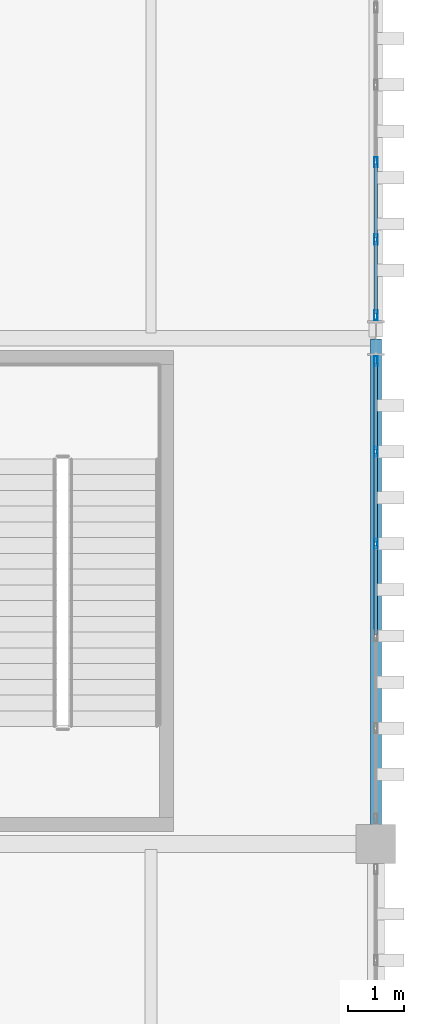
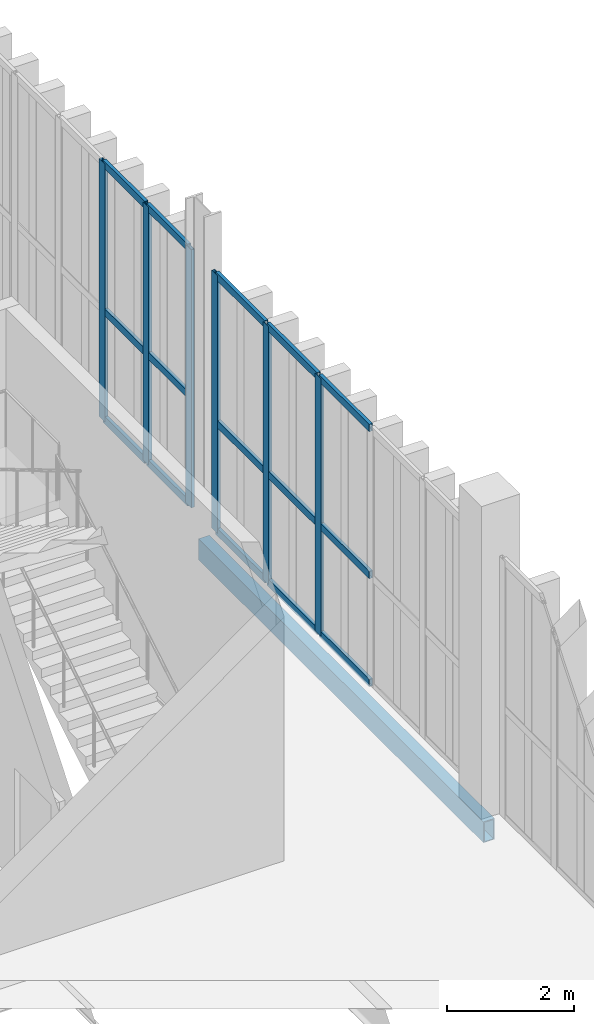
# One storey, part 128 of 211: 21 members, 1 beam, 2 elements without a shape of their own.
"""IFC4 building model written with IfcOpenShell, lengths in metres."""

from ifc_helpers import new_model, si_unit, direction, frame, origin, origin_2d, place, context, subcontext, project, spatial, hollow_rectangle, extrude, material, layer, layer_set, material_profile, profile_set, type_object, element, aggregate, save


model = new_model("IFC4")

# Units and contexts
model_context = context("Model", 3, precision=1e-05, world=origin(), true_north=direction((0.0, 1.0)))
body_context = subcontext(model_context, "Body", "Model", "MODEL_VIEW")
ifc_project = project(units=[si_unit("LENGTHUNIT", "METRE"), si_unit("AREAUNIT", "SQUARE_METRE"), si_unit("VOLUMEUNIT", "CUBIC_METRE"), si_unit("PLANEANGLEUNIT", "RADIAN"), si_unit("MASSUNIT", "GRAM", prefix="KILO")], contexts=[model_context])

# Site, building, storey
site_placement = place(None, origin())
site = spatial("IfcSite", under=ifc_project, at=site_placement, CompositionType="ELEMENT")
building_placement = place(site_placement, origin())
building = spatial("IfcBuilding", under=site, at=building_placement, Name="Barlavento Convention Centre", CompositionType="ELEMENT")
storey_placement = place(building_placement, frame((0.0, 0.0, 6.0)))
storey = spatial("IfcBuildingStorey", under=building, at=storey_placement, Name="L01", CompositionType="ELEMENT", Elevation=6.0)

# Curtain wall, members
ifc_material_1 = material(Name="Powder-coated aluminium and Low-E glass", Category="aluminium")
ifc_layer = layer(ifc_material_1, 0.195068359375)
ifc_layer_set = layer_set([ifc_layer], Name="ARC-CW-FOY-L01")
curtain_wall_type = type_object("IfcCurtainWallType", Name="ARC-CW-FOY-L01", PredefinedType="NOTDEFINED", material=ifc_layer_set)
curtain_wall_1_placement = place(storey_placement, origin())
curtain_wall_1 = element("IfcCurtainWall", 1, at=curtain_wall_1_placement, inside=storey, type_object=curtain_wall_type, Name="L01 unitised curtain wall CW03", PredefinedType="NOTDEFINED")
ifc_material_2 = material(Name="Powder-coated aluminium", Category="aluminium")
ifc_material_profile_1 = material_profile(ifc_material_2, hollow_rectangle(XDim=0.06005859375, YDim=0.179931640625, WallThickness=0.0048828125, at=origin_2d()), Name="AL-MULL 60x180x5")
ifc_profile_set_1 = profile_set([ifc_material_profile_1], Name="Powder-coated aluminium")
member_type_1 = type_object("IfcMemberType", Name="ARC-CWM-60X180", PredefinedType="MULLION", material=ifc_profile_set_1)
member_1_placement = place(storey_placement, frame((192.0, 77.340087890625, 0.0), z_axis=(0.0, 0.0, 1.0), x_axis=(-1.0, 0.0, 0.0)))
member_1 = element("IfcMember", 2, at=member_1_placement, type_object=member_type_1, Name="CW03 mullion 4", PredefinedType="MULLION", context=body_context, shape_type="SweptSolid", body=[
    extrude(hollow_rectangle(XDim=0.06005859375, YDim=0.179931640625, WallThickness=0.0048828125, at=origin_2d()), origin(), (0.0, 0.0, 1.0), 4.949951171875),
])
member_2_placement = place(storey_placement, frame((192.0, 78.97998046875, 0.0), z_axis=(0.0, 0.0, 1.0), x_axis=(-1.0, 0.0, 0.0)))
member_2 = element("IfcMember", 3, at=member_2_placement, type_object=member_type_1, Name="CW03 mullion 5", PredefinedType="MULLION", context=body_context, shape_type="SweptSolid", body=[
    extrude(hollow_rectangle(XDim=0.06005859375, YDim=0.179931640625, WallThickness=0.0048828125, at=origin_2d()), origin(), (0.0, 0.0, 1.0), 4.949951171875),
])
member_3_placement = place(storey_placement, frame((192.0, 80.590087890625, 0.0), z_axis=(0.0, 0.0, 1.0), x_axis=(-1.0, 0.0, 0.0)))
member_3 = element("IfcMember", 4, at=member_3_placement, type_object=member_type_1, Name="CW03 mullion 6", PredefinedType="MULLION", context=body_context, shape_type="SweptSolid", body=[
    extrude(hollow_rectangle(XDim=0.06005859375, YDim=0.179931640625, WallThickness=0.0048828125, at=origin_2d()), origin(), (0.0, 0.0, 1.0), 4.949951171875),
])

curtain_wall_2_placement = place(storey_placement, origin())
curtain_wall_2 = element("IfcCurtainWall", 5, at=curtain_wall_2_placement, inside=storey, type_object=curtain_wall_type, Name="L01 unitised curtain wall CW03", PredefinedType="NOTDEFINED")
member_4_placement = place(storey_placement, frame((192.0, 81.409912109375, 0.0), z_axis=(0.0, 0.0, 1.0), x_axis=(-1.0, 0.0, 0.0)))
member_4 = element("IfcMember", 6, at=member_4_placement, type_object=member_type_1, Name="CW03 mullion 1", PredefinedType="MULLION", context=body_context, shape_type="SweptSolid", body=[
    extrude(hollow_rectangle(XDim=0.06005859375, YDim=0.179931640625, WallThickness=0.0048828125, at=origin_2d()), origin(), (0.0, 0.0, 1.0), 4.949951171875),
])
member_5_placement = place(storey_placement, frame((192.0, 82.7548828125, 0.0), z_axis=(0.0, 0.0, 1.0), x_axis=(-1.0, 0.0, 0.0)))
member_5 = element("IfcMember", 7, at=member_5_placement, type_object=member_type_1, Name="CW03 mullion 2", PredefinedType="MULLION", context=body_context, shape_type="SweptSolid", body=[
    extrude(hollow_rectangle(XDim=0.06005859375, YDim=0.179931640625, WallThickness=0.0048828125, at=origin_2d()), origin(), (0.0, 0.0, 1.0), 4.949951171875),
])
member_6_placement = place(storey_placement, frame((192.0, 84.1298828125, 0.0), z_axis=(0.0, 0.0, 1.0), x_axis=(-1.0, 0.0, 0.0)))
member_6 = element("IfcMember", 8, at=member_6_placement, type_object=member_type_1, Name="CW03 mullion 3", PredefinedType="MULLION", context=body_context, shape_type="SweptSolid", body=[
    extrude(hollow_rectangle(XDim=0.06005859375, YDim=0.179931640625, WallThickness=0.0048828125, at=origin_2d()), origin(), (0.0, 0.0, 1.0), 4.949951171875),
])

# Member
ifc_material_profile_2 = material_profile(ifc_material_2, hollow_rectangle(XDim=0.06005859375, YDim=0.139892578125, WallThickness=0.00390625, at=origin_2d()), Name="AL-TRAN 60x140x4")
ifc_profile_set_2 = profile_set([ifc_material_profile_2], Name="Powder-coated aluminium")
member_type_2 = type_object("IfcMemberType", Name="ARC-CWT-60X140", PredefinedType="USERDEFINED", material=ifc_profile_set_2)
member_7_placement = place(storey_placement, frame((192.0, 75.72998046875, 0.030029296875), z_axis=(0.0, 1.0, 0.0), x_axis=(-1.0, 0.0, 0.0)))
member_7 = element("IfcMember", 9, at=member_7_placement, type_object=member_type_2, Name="CW03 transom 3.1", ObjectType="TRANSOM", PredefinedType="USERDEFINED", context=body_context, shape_type="SweptSolid", body=[
    extrude(hollow_rectangle(XDim=0.06005859375, YDim=0.139892578125, WallThickness=0.00390625, at=origin_2d()), origin(), (0.0, 0.0, 1.0), 1.580078125),
])

member_8_placement = place(storey_placement, frame((192.0, 75.72998046875, 2.10009765625), z_axis=(0.0, 1.0, 0.0), x_axis=(-1.0, 0.0, 0.0)))
member_8 = element("IfcMember", 10, at=member_8_placement, type_object=member_type_2, Name="CW03 transom 3.2", ObjectType="TRANSOM", PredefinedType="USERDEFINED", context=body_context, shape_type="SweptSolid", body=[
    extrude(hollow_rectangle(XDim=0.06005859375, YDim=0.139892578125, WallThickness=0.00390625, at=origin_2d()), origin(), (0.0, 0.0, 1.0), 1.580078125),
])

member_9_placement = place(storey_placement, frame((192.0, 75.72998046875, 4.919921875), z_axis=(0.0, 1.0, 0.0), x_axis=(-1.0, 0.0, 0.0)))
member_9 = element("IfcMember", 11, at=member_9_placement, type_object=member_type_2, Name="CW03 transom 3.3", ObjectType="TRANSOM", PredefinedType="USERDEFINED", context=body_context, shape_type="SweptSolid", body=[
    extrude(hollow_rectangle(XDim=0.06005859375, YDim=0.139892578125, WallThickness=0.00390625, at=origin_2d()), origin(), (0.0, 0.0, 1.0), 1.580078125),
])

member_10_placement = place(storey_placement, frame((192.0, 77.3701171875, 0.030029296875), z_axis=(0.0, 1.0, 0.0), x_axis=(-1.0, 0.0, 0.0)))
member_10 = element("IfcMember", 12, at=member_10_placement, type_object=member_type_2, Name="CW03 transom 4.1", ObjectType="TRANSOM", PredefinedType="USERDEFINED", context=body_context, shape_type="SweptSolid", body=[
    extrude(hollow_rectangle(XDim=0.06005859375, YDim=0.139892578125, WallThickness=0.00390625, at=origin_2d()), origin(), (0.0, 0.0, 1.0), 1.579833984375),
])

member_11_placement = place(storey_placement, frame((192.0, 77.3701171875, 2.10009765625), z_axis=(0.0, 1.0, 0.0), x_axis=(-1.0, 0.0, 0.0)))
member_11 = element("IfcMember", 13, at=member_11_placement, type_object=member_type_2, Name="CW03 transom 4.2", ObjectType="TRANSOM", PredefinedType="USERDEFINED", context=body_context, shape_type="SweptSolid", body=[
    extrude(hollow_rectangle(XDim=0.06005859375, YDim=0.139892578125, WallThickness=0.00390625, at=origin_2d()), origin(), (0.0, 0.0, 1.0), 1.579833984375),
])

member_12_placement = place(storey_placement, frame((192.0, 77.3701171875, 4.919921875), z_axis=(0.0, 1.0, 0.0), x_axis=(-1.0, 0.0, 0.0)))
member_12 = element("IfcMember", 14, at=member_12_placement, type_object=member_type_2, Name="CW03 transom 4.3", ObjectType="TRANSOM", PredefinedType="USERDEFINED", context=body_context, shape_type="SweptSolid", body=[
    extrude(hollow_rectangle(XDim=0.06005859375, YDim=0.139892578125, WallThickness=0.00390625, at=origin_2d()), origin(), (0.0, 0.0, 1.0), 1.579833984375),
])

member_13_placement = place(storey_placement, frame((192.0, 79.010009765625, 0.030029296875), z_axis=(0.0, 1.0, 0.0), x_axis=(-1.0, 0.0, 0.0)))
member_13 = element("IfcMember", 15, at=member_13_placement, type_object=member_type_2, Name="CW03 transom 5.1", ObjectType="TRANSOM", PredefinedType="USERDEFINED", context=body_context, shape_type="SweptSolid", body=[
    extrude(hollow_rectangle(XDim=0.06005859375, YDim=0.139892578125, WallThickness=0.00390625, at=origin_2d()), origin(), (0.0, 0.0, 1.0), 1.550048828125),
])

member_14_placement = place(storey_placement, frame((192.0, 79.010009765625, 2.10009765625), z_axis=(0.0, 1.0, 0.0), x_axis=(-1.0, 0.0, 0.0)))
member_14 = element("IfcMember", 16, at=member_14_placement, type_object=member_type_2, Name="CW03 transom 5.2", ObjectType="TRANSOM", PredefinedType="USERDEFINED", context=body_context, shape_type="SweptSolid", body=[
    extrude(hollow_rectangle(XDim=0.06005859375, YDim=0.139892578125, WallThickness=0.00390625, at=origin_2d()), origin(), (0.0, 0.0, 1.0), 1.550048828125),
])

member_15_placement = place(storey_placement, frame((192.0, 79.010009765625, 4.919921875), z_axis=(0.0, 1.0, 0.0), x_axis=(-1.0, 0.0, 0.0)))
member_15 = element("IfcMember", 17, at=member_15_placement, type_object=member_type_2, Name="CW03 transom 5.3", ObjectType="TRANSOM", PredefinedType="USERDEFINED", context=body_context, shape_type="SweptSolid", body=[
    extrude(hollow_rectangle(XDim=0.06005859375, YDim=0.139892578125, WallThickness=0.00390625, at=origin_2d()), origin(), (0.0, 0.0, 1.0), 1.550048828125),
])

aggregate(curtain_wall_1, [member_1, member_2, member_3, member_7, member_8, member_9, member_10, member_11, member_12, member_13, member_14, member_15])

member_16_placement = place(storey_placement, frame((192.0, 81.43994140625, 0.030029296875), z_axis=(0.0, 1.0, 0.0), x_axis=(-1.0, 0.0, 0.0)))
member_16 = element("IfcMember", 18, at=member_16_placement, type_object=member_type_2, Name="CW03 transom 1.1", ObjectType="TRANSOM", PredefinedType="USERDEFINED", context=body_context, shape_type="SweptSolid", body=[
    extrude(hollow_rectangle(XDim=0.06005859375, YDim=0.139892578125, WallThickness=0.00390625, at=origin_2d()), origin(), (0.0, 0.0, 1.0), 1.28515625),
])

member_17_placement = place(storey_placement, frame((192.0, 81.43994140625, 2.10009765625), z_axis=(0.0, 1.0, 0.0), x_axis=(-1.0, 0.0, 0.0)))
member_17 = element("IfcMember", 19, at=member_17_placement, type_object=member_type_2, Name="CW03 transom 1.2", ObjectType="TRANSOM", PredefinedType="USERDEFINED", context=body_context, shape_type="SweptSolid", body=[
    extrude(hollow_rectangle(XDim=0.06005859375, YDim=0.139892578125, WallThickness=0.00390625, at=origin_2d()), origin(), (0.0, 0.0, 1.0), 1.28515625),
])

member_18_placement = place(storey_placement, frame((192.0, 81.43994140625, 4.919921875), z_axis=(0.0, 1.0, 0.0), x_axis=(-1.0, 0.0, 0.0)))
member_18 = element("IfcMember", 20, at=member_18_placement, type_object=member_type_2, Name="CW03 transom 1.3", ObjectType="TRANSOM", PredefinedType="USERDEFINED", context=body_context, shape_type="SweptSolid", body=[
    extrude(hollow_rectangle(XDim=0.06005859375, YDim=0.139892578125, WallThickness=0.00390625, at=origin_2d()), origin(), (0.0, 0.0, 1.0), 1.28515625),
])

member_19_placement = place(storey_placement, frame((192.0, 82.784912109375, 0.030029296875), z_axis=(0.0, 1.0, 0.0), x_axis=(-1.0, 0.0, 0.0)))
member_19 = element("IfcMember", 21, at=member_19_placement, type_object=member_type_2, Name="CW03 transom 2.1", ObjectType="TRANSOM", PredefinedType="USERDEFINED", context=body_context, shape_type="SweptSolid", body=[
    extrude(hollow_rectangle(XDim=0.06005859375, YDim=0.139892578125, WallThickness=0.00390625, at=origin_2d()), origin(), (0.0, 0.0, 1.0), 1.315185546875),
])

member_20_placement = place(storey_placement, frame((192.0, 82.784912109375, 2.10009765625), z_axis=(0.0, 1.0, 0.0), x_axis=(-1.0, 0.0, 0.0)))
member_20 = element("IfcMember", 22, at=member_20_placement, type_object=member_type_2, Name="CW03 transom 2.2", ObjectType="TRANSOM", PredefinedType="USERDEFINED", context=body_context, shape_type="SweptSolid", body=[
    extrude(hollow_rectangle(XDim=0.06005859375, YDim=0.139892578125, WallThickness=0.00390625, at=origin_2d()), origin(), (0.0, 0.0, 1.0), 1.315185546875),
])

member_21_placement = place(storey_placement, frame((192.0, 82.784912109375, 4.919921875), z_axis=(0.0, 1.0, 0.0), x_axis=(-1.0, 0.0, 0.0)))
member_21 = element("IfcMember", 23, at=member_21_placement, type_object=member_type_2, Name="CW03 transom 2.3", ObjectType="TRANSOM", PredefinedType="USERDEFINED", context=body_context, shape_type="SweptSolid", body=[
    extrude(hollow_rectangle(XDim=0.06005859375, YDim=0.139892578125, WallThickness=0.00390625, at=origin_2d()), origin(), (0.0, 0.0, 1.0), 1.315185546875),
])

aggregate(curtain_wall_2, [member_4, member_5, member_6, member_16, member_17, member_18, member_19, member_20, member_21])

# Beam
ifc_material_3 = material(Name="Steel S355", Category="steel")
ifc_material_profile_3 = material_profile(ifc_material_3, hollow_rectangle(XDim=0.199951171875, YDim=0.39990234375, WallThickness=0.01611328125, at=origin_2d()), Name="RHS 400x200x16.0")
ifc_profile_set_3 = profile_set([ifc_material_profile_3], Name="Steel S355")
beam_type = type_object("IfcBeamType", Name="STR-BM-SPN-RHS400", PredefinedType="SPANDREL", material=ifc_profile_set_3)
beam_placement = place(storey_placement, frame((192.0, 72.02001953125, -0.56005859375), z_axis=(0.0, 1.0, 0.0), x_axis=(-1.0, 0.0, 0.0)))
element("IfcBeam", 24, at=beam_placement, inside=storey, type_object=beam_type, Name="L01 grid girder SP06", PredefinedType="SPANDREL", context=body_context, shape_type="SweptSolid", body=[
    extrude(hollow_rectangle(XDim=0.199951171875, YDim=0.39990234375, WallThickness=0.01611328125, at=origin_2d()), origin(), (0.0, 0.0, 1.0), 8.9599609375),
])

save(model, "model.ifc")
